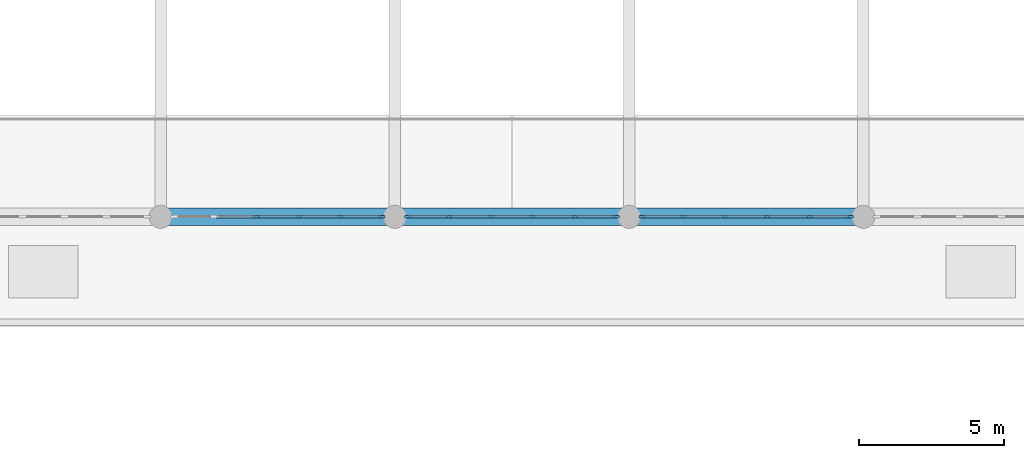
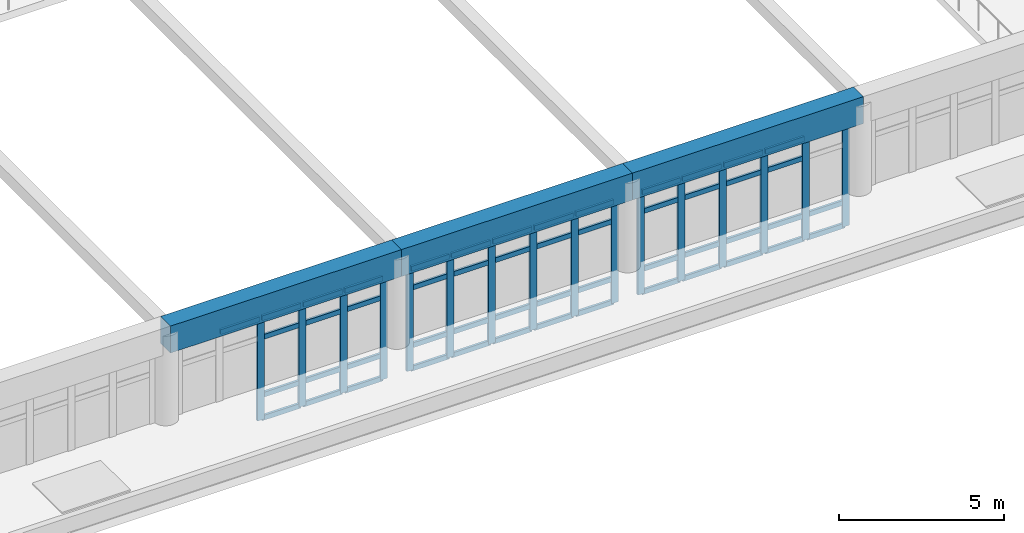
# One storey, part 7 of 61: 67 members, 3 beams, 3 elements without a shape of their own.
"""IFC4 building model written with IfcOpenShell, lengths in metres."""

import ifcopenshell
import ifcopenshell.guid

model = None  # the IFC model being written
_history = None  # IfcOwnerHistory: only IFC2X3 demands one
_inside = {}  # id of a spatial element -> (the spatial element, [elements in it])
_under = {}  # id of a project, library or spatial element -> (it, [spatial elements below it])
_declared = {}  # id of a project -> (the project, [libraries it declares])
_typed = {}  # id of a type object -> (the type object, [elements of that type])
_made_of = {}  # id of a material, layer set ... -> (it, [elements and type objects made of it])


def new_model(schema):
    """Start an empty IFC model of exactly this schema.

    Asked for "IFC4X3", IfcOpenShell would pick the latest addendum, in which some entities
    have other attributes; the version numbers below select the first issue.
    IFC2X3 requires an IfcOwnerHistory on every rooted entity: one is made here for all.
    """
    global model, _history
    if schema == "IFC4X3":
        model = ifcopenshell.file(schema_version=(4, 3, 0, 0))
    else:
        model = ifcopenshell.file(schema=schema)
    _inside.clear()
    _under.clear()
    _declared.clear()
    _typed.clear()
    _made_of.clear()
    _history = None
    if model.schema == "IFC2X3":
        org = make("IfcOrganization", Name="unknown")
        user = make(
            "IfcPersonAndOrganization",
            ThePerson=make("IfcPerson", FamilyName="unknown"),
            TheOrganization=org,
        )
        app = make(
            "IfcApplication",
            ApplicationDeveloper=org,
            Version="unknown",
            ApplicationFullName="unknown",
            ApplicationIdentifier="unknown",
        )
        _history = make(
            "IfcOwnerHistory",
            OwningUser=user,
            OwningApplication=app,
            ChangeAction="ADDED",
            CreationDate=0,
        )
    return model


def make(cls, **values):
    """One entity of the class cls with the attributes given. An attribute that is None is left unset."""
    return model.create_entity(
        cls, **{name: value for name, value in values.items() if value is not None}
    )


def rooted(cls, **values):
    """An entity with a GlobalId (a new one), such as an element, a storey or a relation."""
    return make(cls, GlobalId=ifcopenshell.guid.new(), OwnerHistory=_history, **values)


def si_unit(unit_type, name, prefix=None):
    """IfcSIUnit, for example si_unit("LENGTHUNIT", "METRE", prefix="MILLI")."""
    return make("IfcSIUnit", UnitType=unit_type, Prefix=prefix, Name=name)


def assignment(units):
    """IfcUnitAssignment: the units of a project."""
    return None if units is None else make("IfcUnitAssignment", Units=units)


def point(xyz):
    """IfcCartesianPoint."""
    return None if xyz is None else make("IfcCartesianPoint", Coordinates=xyz)


def direction(xyz):
    """IfcDirection."""
    return None if xyz is None else make("IfcDirection", DirectionRatios=xyz)


def frame(location, z_axis=None, x_axis=None):
    """IfcAxis2Placement3D, a coordinate frame: its origin and axes. An axis left out is left unset."""
    return make(
        "IfcAxis2Placement3D",
        Location=point(location),
        Axis=direction(z_axis),
        RefDirection=direction(x_axis),
    )


def frame_2d(location, x_axis=None):
    """IfcAxis2Placement2D, a coordinate frame in the plane: its origin and x axis."""
    return make(
        "IfcAxis2Placement2D", Location=point(location), RefDirection=direction(x_axis)
    )


def origin():
    """The frame at (0, 0, 0) with its axes left unset."""
    return frame((0.0, 0.0, 0.0))


def origin_2d():
    """The frame at (0, 0) in the plane with its x axis left unset."""
    return frame_2d((0.0, 0.0))


def place(relative_to, where):
    """IfcLocalPlacement: puts the frame where relative to a parent placement (None: the world)."""
    return make(
        "IfcLocalPlacement", PlacementRelTo=relative_to, RelativePlacement=where
    )


def context(
    kind, dimensions, precision=None, world=None, true_north=None, identifier=None
):
    """IfcGeometricRepresentationContext, for example the 3D "Model" context."""
    return make(
        "IfcGeometricRepresentationContext",
        ContextIdentifier=identifier,
        ContextType=kind,
        CoordinateSpaceDimension=dimensions,
        Precision=precision,
        WorldCoordinateSystem=world,
        TrueNorth=true_north,
    )


def subcontext(parent, identifier, kind, view, scale=None):
    """IfcGeometricRepresentationSubContext, for example "Body" below "Model"."""
    return make(
        "IfcGeometricRepresentationSubContext",
        ContextIdentifier=identifier,
        ContextType=kind,
        ParentContext=parent,
        TargetScale=scale,
        TargetView=view,
    )


def project(units=None, contexts=None):
    """IfcProject with its units and contexts."""
    return rooted(
        "IfcProject",
        Name="project",
        RepresentationContexts=contexts,
        UnitsInContext=assignment(units),
    )


def spatial(cls, under=None, at=None, **own):
    """A site, building, storey or space (cls), placed at a placement, below another one or the project."""
    s = rooted(cls, ObjectPlacement=at, **own)
    if under is not None:
        _under.setdefault(under.id(), (under, []))[1].append(s)
    return s


def profile(cls, at=None, kind="AREA", **sizes):
    """A parametric profile (cls). Its sizes go by their IFC names, for example OverallWidth=200.0."""
    return make(cls, ProfileType=kind, Position=at, **sizes)


def rectangle(**sizes):
    """IfcRectangleProfileDef."""
    return profile("IfcRectangleProfileDef", **sizes)


def extrude(swept, where, along, depth):
    """IfcExtrudedAreaSolid: the profile swept, set in the frame where, extruded along a direction by depth."""
    return make(
        "IfcExtrudedAreaSolid",
        SweptArea=swept,
        Position=where,
        ExtrudedDirection=direction(along),
        Depth=depth,
    )


def shape(context_of_items, identifier, shape_type, items):
    """IfcShapeRepresentation: the items that make up one representation, for example the "Body"."""
    return make(
        "IfcShapeRepresentation",
        ContextOfItems=context_of_items,
        RepresentationIdentifier=identifier,
        RepresentationType=shape_type,
        Items=items,
    )


def material(Name=None, Category=None):
    """IfcMaterial."""
    return make("IfcMaterial", Name=Name, Category=Category)


def material_profile(
    of_material, cross_section, Name=None, Category=None, Priority=None
):
    """IfcMaterialProfile: a cross section and its material."""
    return make(
        "IfcMaterialProfile",
        Name=Name,
        Material=of_material,
        Profile=cross_section,
        Priority=Priority,
        Category=Category,
    )


def profile_set(profiles, Name=None, composite=None):
    """IfcMaterialProfileSet."""
    return make(
        "IfcMaterialProfileSet",
        Name=Name,
        MaterialProfiles=profiles,
        CompositeProfile=composite,
    )


def made_of(thing, what):
    """Note that an element or type object is made of a material, layer set ...; save() writes the relation."""
    if what is not None:
        _made_of.setdefault(what.id(), (what, []))[1].append(thing)
    return thing


def type_object(cls, material=None, **own):
    """A type object (cls), such as IfcWallType, which elements share."""
    return made_of(rooted(cls, **own), material)


def element(
    cls,
    number,
    at=None,
    inside=None,
    cuts=None,
    type_object=None,
    material=None,
    context=None,
    identifier="Body",
    shape_type=None,
    held_by="IfcProductDefinitionShape",
    body=None,
    shapes=None,
    **own,
):
    """One element of the class cls, such as IfcWall. Its Tag is "e" and its number.

    at: its placement. inside: the storey or other place that contains it. cuts: it is an
    opening in that element (IfcRelVoidsElement). A single representation is given by context,
    identifier, shape_type and body (its items); several are given by shapes. held_by: the class
    of the entity that holds the representations. save() writes the other relations.
    """
    e = rooted(cls, Tag="e%d" % number, ObjectPlacement=at, **own)
    if body is not None:
        shapes = [shape(context, identifier, shape_type, body)]
    if shapes is not None:
        e.Representation = make(held_by, Representations=shapes)
    if inside is not None:
        _inside.setdefault(inside.id(), (inside, []))[1].append(e)
    if cuts is not None:
        rooted(
            "IfcRelVoidsElement", RelatingBuildingElement=cuts, RelatedOpeningElement=e
        )
    if type_object is not None:
        _typed.setdefault(type_object.id(), (type_object, []))[1].append(e)
    return made_of(e, material)


def aggregate(whole, parts):
    """IfcRelAggregates: a whole, such as a stair, and the parts it consists of."""
    return rooted("IfcRelAggregates", RelatingObject=whole, RelatedObjects=parts)


def save(model, path):
    """Write the relations noted so far, then the file.

    IfcRelAggregates (storeys below a building ...), IfcRelContainedInSpatialStructure (elements
    in a storey), IfcRelDefinesByType, IfcRelAssociatesMaterial and IfcRelDeclares: one each for
    every whole, place, type object, material and project.
    """
    for whole, parts in _under.values():
        aggregate(whole, parts)
    for where, things in _inside.values():
        rooted(
            "IfcRelContainedInSpatialStructure",
            RelatedElements=things,
            RelatingStructure=where,
        )
    for kind, things in _typed.values():
        rooted("IfcRelDefinesByType", RelatedObjects=things, RelatingType=kind)
    for what, things in _made_of.values():
        rooted("IfcRelAssociatesMaterial", RelatedObjects=things, RelatingMaterial=what)
    for by, libraries in _declared.values():
        rooted("IfcRelDeclares", RelatingContext=by, RelatedDefinitions=libraries)
    model.write(path)


model = new_model("IFC4")

# Units and contexts
model_context = context("Model", 3, precision=1e-05, world=origin(), true_north=direction((0.0, 1.0)))
body_context = subcontext(model_context, "Body", "Model", "MODEL_VIEW")
ifc_project = project(units=[si_unit("LENGTHUNIT", "METRE"), si_unit("AREAUNIT", "SQUARE_METRE"), si_unit("VOLUMEUNIT", "CUBIC_METRE"), si_unit("PLANEANGLEUNIT", "RADIAN"), si_unit("MASSUNIT", "GRAM", prefix="KILO")], contexts=[model_context])

# Site, building, storey
site_placement = place(None, origin())
site = spatial("IfcSite", under=ifc_project, at=site_placement, CompositionType="ELEMENT")
building_placement = place(site_placement, origin())
building = spatial("IfcBuilding", under=site, at=building_placement, Name="Tarnveldt Square Police Headquarters", CompositionType="ELEMENT")
storey_placement = place(building_placement, frame((0.0, 0.0, 5.39990234375)))
storey = spatial("IfcBuildingStorey", under=building, at=storey_placement, Name="L01", CompositionType="ELEMENT", Elevation=5.39990234375)

# Beams
ifc_material_1 = material(Name="Concrete 50 MPa", Category="concrete")
ifc_material_profile_1 = material_profile(ifc_material_1, rectangle(XDim=0.60009765625, YDim=1.0, at=origin_2d()), Name="RC-B600x1000")
ifc_profile_set_1 = profile_set([ifc_material_profile_1], Name="Concrete 50 MPa")
beam_type = type_object("IfcBeamType", Name="BM-RC600x1000", PredefinedType="BEAM", material=ifc_profile_set_1)
beam_1_placement = place(storey_placement, frame((81.0, 22.0, 4.300048828125), z_axis=(1.0, 0.0, 0.0), x_axis=(0.0, 1.0, 0.0)))
element("IfcBeam", 1, at=beam_1_placement, inside=storey, type_object=beam_type, Name="Public Entrance Hall Springing Edge Ring Beam S3", PredefinedType="BEAM", context=body_context, shape_type="SweptSolid", body=[
    extrude(rectangle(XDim=0.60009765625, YDim=1.0, at=origin_2d()), origin(), (0.0, 0.0, 1.0), 8.10009765625),
])
beam_2_placement = place(storey_placement, frame((89.10009765625, 22.0, 4.300048828125), z_axis=(1.0, 0.0, 0.0), x_axis=(0.0, 1.0, 0.0)))
element("IfcBeam", 2, at=beam_2_placement, inside=storey, type_object=beam_type, Name="Public Entrance Hall Springing Edge Ring Beam S4", PredefinedType="BEAM", context=body_context, shape_type="SweptSolid", body=[
    extrude(rectangle(XDim=0.60009765625, YDim=1.0, at=origin_2d()), origin(), (0.0, 0.0, 1.0), 8.099853515625),
])
beam_3_placement = place(storey_placement, frame((97.199951171875, 22.0, 4.300048828125), z_axis=(1.0, 0.0, 0.0), x_axis=(0.0, 1.0, 0.0)))
element("IfcBeam", 3, at=beam_3_placement, inside=storey, type_object=beam_type, Name="Public Entrance Hall Springing Edge Ring Beam S5", PredefinedType="BEAM", context=body_context, shape_type="SweptSolid", body=[
    extrude(rectangle(XDim=0.60009765625, YDim=1.0, at=origin_2d()), origin(), (0.0, 0.0, 1.0), 8.10009765625),
])

# Curtain wall, members
ifc_material_2 = material(Name="Triple-glazed low-e laminated vision glass", Category="glass")
curtain_wall_type = type_object("IfcCurtainWallType", Name="CW-EH-727x379", PredefinedType="USERDEFINED", material=ifc_material_2)
curtain_wall_1_placement = place(storey_placement, origin())
curtain_wall_1 = element("IfcCurtainWall", 4, at=curtain_wall_1_placement, inside=storey, type_object=curtain_wall_type, Name="L01 Curtain Wall CW-L01-009", ObjectType="GLAZED CURTAIN WALL", PredefinedType="USERDEFINED")
ifc_material_3 = material(Name="Thermally broken anodised aluminium 6063-T6", Category="aluminium")
ifc_material_profile_2 = material_profile(ifc_material_3, rectangle(XDim=0.0849609375, YDim=0.239990234375, at=origin_2d()), Name="CW-M85x240")
ifc_profile_set_2 = profile_set([ifc_material_profile_2], Name="Thermally broken anodised aluminium 6063-T6")
member_type_1 = type_object("IfcMemberType", Name="CWM-85x240", PredefinedType="MULLION", material=ifc_profile_set_2)
member_1_placement = place(storey_placement, frame((84.322998046875, 22.0, 0.0), z_axis=(0.0, 0.0, 1.0), x_axis=(0.0, 1.0, 0.0)))
member_1 = element("IfcMember", 5, at=member_1_placement, type_object=member_type_1, Name="CW-EH05 mullion 3", PredefinedType="MULLION", context=body_context, shape_type="SweptSolid", body=[
    extrude(rectangle(XDim=0.0849609375, YDim=0.239990234375, at=origin_2d()), origin(), (0.0, 0.0, 1.0), 3.7919921875),
])
member_2_placement = place(storey_placement, frame((85.777099609375, 22.0, 0.0), z_axis=(0.0, 0.0, 1.0), x_axis=(0.0, 1.0, 0.0)))
member_2 = element("IfcMember", 6, at=member_2_placement, type_object=member_type_1, Name="CW-EH05 mullion 4", PredefinedType="MULLION", context=body_context, shape_type="SweptSolid", body=[
    extrude(rectangle(XDim=0.0849609375, YDim=0.239990234375, at=origin_2d()), origin(), (0.0, 0.0, 1.0), 3.7919921875),
])
member_3_placement = place(storey_placement, frame((87.23095703125, 22.0, 0.0), z_axis=(0.0, 0.0, 1.0), x_axis=(0.0, 1.0, 0.0)))
member_3 = element("IfcMember", 7, at=member_3_placement, type_object=member_type_1, Name="CW-EH05 mullion 5", PredefinedType="MULLION", context=body_context, shape_type="SweptSolid", body=[
    extrude(rectangle(XDim=0.0849609375, YDim=0.239990234375, at=origin_2d()), origin(), (0.0, 0.0, 1.0), 3.7919921875),
])
member_4_placement = place(storey_placement, frame((88.642578125, 22.0, 0.0), z_axis=(0.0, 0.0, 1.0), x_axis=(0.0, 1.0, 0.0)))
member_4 = element("IfcMember", 8, at=member_4_placement, type_object=member_type_1, Name="CW-EH05 mullion 6", PredefinedType="MULLION", context=body_context, shape_type="SweptSolid", body=[
    extrude(rectangle(XDim=0.0849609375, YDim=0.239990234375, at=origin_2d()), origin(), (0.0, 0.0, 1.0), 3.7919921875),
])

curtain_wall_2_placement = place(storey_placement, origin())
curtain_wall_2 = element("IfcCurtainWall", 9, at=curtain_wall_2_placement, inside=storey, type_object=curtain_wall_type, Name="L01 Curtain Wall CW-L01-010", ObjectType="GLAZED CURTAIN WALL", PredefinedType="USERDEFINED")
member_5_placement = place(storey_placement, frame((89.5576171875, 22.0, 0.0), z_axis=(0.0, 0.0, 1.0), x_axis=(0.0, 1.0, 0.0)))
member_5 = element("IfcMember", 10, at=member_5_placement, type_object=member_type_1, Name="CW-EH05 mullion 1", PredefinedType="MULLION", context=body_context, shape_type="SweptSolid", body=[
    extrude(rectangle(XDim=0.0849609375, YDim=0.239990234375, at=origin_2d()), origin(), (0.0, 0.0, 1.0), 3.7919921875),
])
member_6_placement = place(storey_placement, frame((90.968994140625, 22.0, 0.0), z_axis=(0.0, 0.0, 1.0), x_axis=(0.0, 1.0, 0.0)))
member_6 = element("IfcMember", 11, at=member_6_placement, type_object=member_type_1, Name="CW-EH05 mullion 2", PredefinedType="MULLION", context=body_context, shape_type="SweptSolid", body=[
    extrude(rectangle(XDim=0.0849609375, YDim=0.239990234375, at=origin_2d()), origin(), (0.0, 0.0, 1.0), 3.7919921875),
])
member_7_placement = place(storey_placement, frame((92.423095703125, 22.0, 0.0), z_axis=(0.0, 0.0, 1.0), x_axis=(0.0, 1.0, 0.0)))
member_7 = element("IfcMember", 12, at=member_7_placement, type_object=member_type_1, Name="CW-EH05 mullion 3", PredefinedType="MULLION", context=body_context, shape_type="SweptSolid", body=[
    extrude(rectangle(XDim=0.0849609375, YDim=0.239990234375, at=origin_2d()), origin(), (0.0, 0.0, 1.0), 3.7919921875),
])
member_8_placement = place(storey_placement, frame((93.876953125, 22.0, 0.0), z_axis=(0.0, 0.0, 1.0), x_axis=(0.0, 1.0, 0.0)))
member_8 = element("IfcMember", 13, at=member_8_placement, type_object=member_type_1, Name="CW-EH05 mullion 4", PredefinedType="MULLION", context=body_context, shape_type="SweptSolid", body=[
    extrude(rectangle(XDim=0.0849609375, YDim=0.239990234375, at=origin_2d()), origin(), (0.0, 0.0, 1.0), 3.7919921875),
])
member_9_placement = place(storey_placement, frame((95.3310546875, 22.0, 0.0), z_axis=(0.0, 0.0, 1.0), x_axis=(0.0, 1.0, 0.0)))
member_9 = element("IfcMember", 14, at=member_9_placement, type_object=member_type_1, Name="CW-EH05 mullion 5", PredefinedType="MULLION", context=body_context, shape_type="SweptSolid", body=[
    extrude(rectangle(XDim=0.0849609375, YDim=0.239990234375, at=origin_2d()), origin(), (0.0, 0.0, 1.0), 3.7919921875),
])
member_10_placement = place(storey_placement, frame((96.742431640625, 22.0, 0.0), z_axis=(0.0, 0.0, 1.0), x_axis=(0.0, 1.0, 0.0)))
member_10 = element("IfcMember", 15, at=member_10_placement, type_object=member_type_1, Name="CW-EH05 mullion 6", PredefinedType="MULLION", context=body_context, shape_type="SweptSolid", body=[
    extrude(rectangle(XDim=0.0849609375, YDim=0.239990234375, at=origin_2d()), origin(), (0.0, 0.0, 1.0), 3.7919921875),
])

curtain_wall_3_placement = place(storey_placement, origin())
curtain_wall_3 = element("IfcCurtainWall", 16, at=curtain_wall_3_placement, inside=storey, type_object=curtain_wall_type, Name="L01 Curtain Wall CW-L01-011", ObjectType="GLAZED CURTAIN WALL", PredefinedType="USERDEFINED")
member_11_placement = place(storey_placement, frame((97.657470703125, 22.0, 0.0), z_axis=(0.0, 0.0, 1.0), x_axis=(0.0, 1.0, 0.0)))
member_11 = element("IfcMember", 17, at=member_11_placement, type_object=member_type_1, Name="CW-EH05 mullion 1", PredefinedType="MULLION", context=body_context, shape_type="SweptSolid", body=[
    extrude(rectangle(XDim=0.0849609375, YDim=0.239990234375, at=origin_2d()), origin(), (0.0, 0.0, 1.0), 3.7919921875),
])
member_12_placement = place(storey_placement, frame((99.069091796875, 22.0, 0.0), z_axis=(0.0, 0.0, 1.0), x_axis=(0.0, 1.0, 0.0)))
member_12 = element("IfcMember", 18, at=member_12_placement, type_object=member_type_1, Name="CW-EH05 mullion 2", PredefinedType="MULLION", context=body_context, shape_type="SweptSolid", body=[
    extrude(rectangle(XDim=0.0849609375, YDim=0.239990234375, at=origin_2d()), origin(), (0.0, 0.0, 1.0), 3.7919921875),
])
member_13_placement = place(storey_placement, frame((100.52294921875, 22.0, 0.0), z_axis=(0.0, 0.0, 1.0), x_axis=(0.0, 1.0, 0.0)))
member_13 = element("IfcMember", 19, at=member_13_placement, type_object=member_type_1, Name="CW-EH05 mullion 3", PredefinedType="MULLION", context=body_context, shape_type="SweptSolid", body=[
    extrude(rectangle(XDim=0.0849609375, YDim=0.239990234375, at=origin_2d()), origin(), (0.0, 0.0, 1.0), 3.7919921875),
])
member_14_placement = place(storey_placement, frame((101.97705078125, 22.0, 0.0), z_axis=(0.0, 0.0, 1.0), x_axis=(0.0, 1.0, 0.0)))
member_14 = element("IfcMember", 20, at=member_14_placement, type_object=member_type_1, Name="CW-EH05 mullion 4", PredefinedType="MULLION", context=body_context, shape_type="SweptSolid", body=[
    extrude(rectangle(XDim=0.0849609375, YDim=0.239990234375, at=origin_2d()), origin(), (0.0, 0.0, 1.0), 3.7919921875),
])
member_15_placement = place(storey_placement, frame((103.430908203125, 22.0, 0.0), z_axis=(0.0, 0.0, 1.0), x_axis=(0.0, 1.0, 0.0)))
member_15 = element("IfcMember", 21, at=member_15_placement, type_object=member_type_1, Name="CW-EH05 mullion 5", PredefinedType="MULLION", context=body_context, shape_type="SweptSolid", body=[
    extrude(rectangle(XDim=0.0849609375, YDim=0.239990234375, at=origin_2d()), origin(), (0.0, 0.0, 1.0), 3.7919921875),
])
member_16_placement = place(storey_placement, frame((104.842529296875, 22.0, 0.0), z_axis=(0.0, 0.0, 1.0), x_axis=(0.0, 1.0, 0.0)))
member_16 = element("IfcMember", 22, at=member_16_placement, type_object=member_type_1, Name="CW-EH05 mullion 6", PredefinedType="MULLION", context=body_context, shape_type="SweptSolid", body=[
    extrude(rectangle(XDim=0.0849609375, YDim=0.239990234375, at=origin_2d()), origin(), (0.0, 0.0, 1.0), 3.7919921875),
])

# Member
ifc_material_profile_3 = material_profile(ifc_material_3, rectangle(XDim=0.0849609375, YDim=0.179931640625, at=origin_2d()), Name="CW-T85x180")
ifc_profile_set_3 = profile_set([ifc_material_profile_3], Name="Thermally broken anodised aluminium 6063-T6")
member_type_2 = type_object("IfcMemberType", Name="CWT-85x180", PredefinedType="USERDEFINED", material=ifc_profile_set_3)
member_17_placement = place(storey_placement, frame((82.91162109375, 22.0, 3.74951171875), z_axis=(1.0, 0.0, 0.0), x_axis=(0.0, 1.0, 0.0)))
member_17 = element("IfcMember", 23, at=member_17_placement, type_object=member_type_2, Name="CW-EH05 transom 2.4", ObjectType="TRANSOM", PredefinedType="USERDEFINED", context=body_context, shape_type="SweptSolid", body=[
    extrude(rectangle(XDim=0.0849609375, YDim=0.179931640625, at=origin_2d()), origin(), (0.0, 0.0, 1.0), 1.368896484375),
])

member_18_placement = place(storey_placement, frame((84.365478515625, 22.0, 0.04248046875), z_axis=(1.0, 0.0, 0.0), x_axis=(0.0, 1.0, 0.0)))
member_18 = element("IfcMember", 24, at=member_18_placement, type_object=member_type_2, Name="CW-EH05 transom 3.1", ObjectType="TRANSOM", PredefinedType="USERDEFINED", context=body_context, shape_type="SweptSolid", body=[
    extrude(rectangle(XDim=0.0849609375, YDim=0.179931640625, at=origin_2d()), origin(), (0.0, 0.0, 1.0), 1.369140625),
])

member_19_placement = place(storey_placement, frame((84.365478515625, 22.0, 0.900146484375), z_axis=(1.0, 0.0, 0.0), x_axis=(0.0, 1.0, 0.0)))
member_19 = element("IfcMember", 25, at=member_19_placement, type_object=member_type_2, Name="CW-EH05 transom 3.2", ObjectType="TRANSOM", PredefinedType="USERDEFINED", context=body_context, shape_type="SweptSolid", body=[
    extrude(rectangle(XDim=0.0849609375, YDim=0.179931640625, at=origin_2d()), origin(), (0.0, 0.0, 1.0), 1.369140625),
])

member_20_placement = place(storey_placement, frame((84.365478515625, 22.0, 3.0419921875), z_axis=(1.0, 0.0, 0.0), x_axis=(0.0, 1.0, 0.0)))
member_20 = element("IfcMember", 26, at=member_20_placement, type_object=member_type_2, Name="CW-EH05 transom 3.3", ObjectType="TRANSOM", PredefinedType="USERDEFINED", context=body_context, shape_type="SweptSolid", body=[
    extrude(rectangle(XDim=0.0849609375, YDim=0.179931640625, at=origin_2d()), origin(), (0.0, 0.0, 1.0), 1.369140625),
])

member_21_placement = place(storey_placement, frame((84.365478515625, 22.0, 3.74951171875), z_axis=(1.0, 0.0, 0.0), x_axis=(0.0, 1.0, 0.0)))
member_21 = element("IfcMember", 27, at=member_21_placement, type_object=member_type_2, Name="CW-EH05 transom 3.4", ObjectType="TRANSOM", PredefinedType="USERDEFINED", context=body_context, shape_type="SweptSolid", body=[
    extrude(rectangle(XDim=0.0849609375, YDim=0.179931640625, at=origin_2d()), origin(), (0.0, 0.0, 1.0), 1.369140625),
])

member_22_placement = place(storey_placement, frame((85.819580078125, 22.0, 0.04248046875), z_axis=(1.0, 0.0, 0.0), x_axis=(0.0, 1.0, 0.0)))
member_22 = element("IfcMember", 28, at=member_22_placement, type_object=member_type_2, Name="CW-EH05 transom 4.1", ObjectType="TRANSOM", PredefinedType="USERDEFINED", context=body_context, shape_type="SweptSolid", body=[
    extrude(rectangle(XDim=0.0849609375, YDim=0.179931640625, at=origin_2d()), origin(), (0.0, 0.0, 1.0), 1.368896484375),
])

member_23_placement = place(storey_placement, frame((85.819580078125, 22.0, 0.900146484375), z_axis=(1.0, 0.0, 0.0), x_axis=(0.0, 1.0, 0.0)))
member_23 = element("IfcMember", 29, at=member_23_placement, type_object=member_type_2, Name="CW-EH05 transom 4.2", ObjectType="TRANSOM", PredefinedType="USERDEFINED", context=body_context, shape_type="SweptSolid", body=[
    extrude(rectangle(XDim=0.0849609375, YDim=0.179931640625, at=origin_2d()), origin(), (0.0, 0.0, 1.0), 1.368896484375),
])

member_24_placement = place(storey_placement, frame((85.819580078125, 22.0, 3.0419921875), z_axis=(1.0, 0.0, 0.0), x_axis=(0.0, 1.0, 0.0)))
member_24 = element("IfcMember", 30, at=member_24_placement, type_object=member_type_2, Name="CW-EH05 transom 4.3", ObjectType="TRANSOM", PredefinedType="USERDEFINED", context=body_context, shape_type="SweptSolid", body=[
    extrude(rectangle(XDim=0.0849609375, YDim=0.179931640625, at=origin_2d()), origin(), (0.0, 0.0, 1.0), 1.368896484375),
])

member_25_placement = place(storey_placement, frame((85.819580078125, 22.0, 3.74951171875), z_axis=(1.0, 0.0, 0.0), x_axis=(0.0, 1.0, 0.0)))
member_25 = element("IfcMember", 31, at=member_25_placement, type_object=member_type_2, Name="CW-EH05 transom 4.4", ObjectType="TRANSOM", PredefinedType="USERDEFINED", context=body_context, shape_type="SweptSolid", body=[
    extrude(rectangle(XDim=0.0849609375, YDim=0.179931640625, at=origin_2d()), origin(), (0.0, 0.0, 1.0), 1.368896484375),
])

member_26_placement = place(storey_placement, frame((87.2734375, 22.0, 0.04248046875), z_axis=(1.0, 0.0, 0.0), x_axis=(0.0, 1.0, 0.0)))
member_26 = element("IfcMember", 32, at=member_26_placement, type_object=member_type_2, Name="CW-EH05 transom 5.1", ObjectType="TRANSOM", PredefinedType="USERDEFINED", context=body_context, shape_type="SweptSolid", body=[
    extrude(rectangle(XDim=0.0849609375, YDim=0.179931640625, at=origin_2d()), origin(), (0.0, 0.0, 1.0), 1.32666015625),
])

member_27_placement = place(storey_placement, frame((87.2734375, 22.0, 0.900146484375), z_axis=(1.0, 0.0, 0.0), x_axis=(0.0, 1.0, 0.0)))
member_27 = element("IfcMember", 33, at=member_27_placement, type_object=member_type_2, Name="CW-EH05 transom 5.2", ObjectType="TRANSOM", PredefinedType="USERDEFINED", context=body_context, shape_type="SweptSolid", body=[
    extrude(rectangle(XDim=0.0849609375, YDim=0.179931640625, at=origin_2d()), origin(), (0.0, 0.0, 1.0), 1.32666015625),
])

member_28_placement = place(storey_placement, frame((87.2734375, 22.0, 3.0419921875), z_axis=(1.0, 0.0, 0.0), x_axis=(0.0, 1.0, 0.0)))
member_28 = element("IfcMember", 34, at=member_28_placement, type_object=member_type_2, Name="CW-EH05 transom 5.3", ObjectType="TRANSOM", PredefinedType="USERDEFINED", context=body_context, shape_type="SweptSolid", body=[
    extrude(rectangle(XDim=0.0849609375, YDim=0.179931640625, at=origin_2d()), origin(), (0.0, 0.0, 1.0), 1.32666015625),
])

member_29_placement = place(storey_placement, frame((87.2734375, 22.0, 3.74951171875), z_axis=(1.0, 0.0, 0.0), x_axis=(0.0, 1.0, 0.0)))
member_29 = element("IfcMember", 35, at=member_29_placement, type_object=member_type_2, Name="CW-EH05 transom 5.4", ObjectType="TRANSOM", PredefinedType="USERDEFINED", context=body_context, shape_type="SweptSolid", body=[
    extrude(rectangle(XDim=0.0849609375, YDim=0.179931640625, at=origin_2d()), origin(), (0.0, 0.0, 1.0), 1.32666015625),
])

aggregate(curtain_wall_1, [member_1, member_2, member_3, member_4, member_17, member_18, member_19, member_20, member_21, member_22, member_23, member_24, member_25, member_26, member_27, member_28, member_29])

member_30_placement = place(storey_placement, frame((89.60009765625, 22.0, 0.04248046875), z_axis=(1.0, 0.0, 0.0), x_axis=(0.0, 1.0, 0.0)))
member_30 = element("IfcMember", 36, at=member_30_placement, type_object=member_type_2, Name="CW-EH05 transom 1.1", ObjectType="TRANSOM", PredefinedType="USERDEFINED", context=body_context, shape_type="SweptSolid", body=[
    extrude(rectangle(XDim=0.0849609375, YDim=0.179931640625, at=origin_2d()), origin(), (0.0, 0.0, 1.0), 1.326416015625),
])

member_31_placement = place(storey_placement, frame((89.60009765625, 22.0, 0.900146484375), z_axis=(1.0, 0.0, 0.0), x_axis=(0.0, 1.0, 0.0)))
member_31 = element("IfcMember", 37, at=member_31_placement, type_object=member_type_2, Name="CW-EH05 transom 1.2", ObjectType="TRANSOM", PredefinedType="USERDEFINED", context=body_context, shape_type="SweptSolid", body=[
    extrude(rectangle(XDim=0.0849609375, YDim=0.179931640625, at=origin_2d()), origin(), (0.0, 0.0, 1.0), 1.326416015625),
])

member_32_placement = place(storey_placement, frame((89.60009765625, 22.0, 3.0419921875), z_axis=(1.0, 0.0, 0.0), x_axis=(0.0, 1.0, 0.0)))
member_32 = element("IfcMember", 38, at=member_32_placement, type_object=member_type_2, Name="CW-EH05 transom 1.3", ObjectType="TRANSOM", PredefinedType="USERDEFINED", context=body_context, shape_type="SweptSolid", body=[
    extrude(rectangle(XDim=0.0849609375, YDim=0.179931640625, at=origin_2d()), origin(), (0.0, 0.0, 1.0), 1.326416015625),
])

member_33_placement = place(storey_placement, frame((89.60009765625, 22.0, 3.74951171875), z_axis=(1.0, 0.0, 0.0), x_axis=(0.0, 1.0, 0.0)))
member_33 = element("IfcMember", 39, at=member_33_placement, type_object=member_type_2, Name="CW-EH05 transom 1.4", ObjectType="TRANSOM", PredefinedType="USERDEFINED", context=body_context, shape_type="SweptSolid", body=[
    extrude(rectangle(XDim=0.0849609375, YDim=0.179931640625, at=origin_2d()), origin(), (0.0, 0.0, 1.0), 1.326416015625),
])

member_34_placement = place(storey_placement, frame((91.011474609375, 22.0, 0.04248046875), z_axis=(1.0, 0.0, 0.0), x_axis=(0.0, 1.0, 0.0)))
member_34 = element("IfcMember", 40, at=member_34_placement, type_object=member_type_2, Name="CW-EH05 transom 2.1", ObjectType="TRANSOM", PredefinedType="USERDEFINED", context=body_context, shape_type="SweptSolid", body=[
    extrude(rectangle(XDim=0.0849609375, YDim=0.179931640625, at=origin_2d()), origin(), (0.0, 0.0, 1.0), 1.369140625),
])

member_35_placement = place(storey_placement, frame((91.011474609375, 22.0, 0.900146484375), z_axis=(1.0, 0.0, 0.0), x_axis=(0.0, 1.0, 0.0)))
member_35 = element("IfcMember", 41, at=member_35_placement, type_object=member_type_2, Name="CW-EH05 transom 2.2", ObjectType="TRANSOM", PredefinedType="USERDEFINED", context=body_context, shape_type="SweptSolid", body=[
    extrude(rectangle(XDim=0.0849609375, YDim=0.179931640625, at=origin_2d()), origin(), (0.0, 0.0, 1.0), 1.369140625),
])

member_36_placement = place(storey_placement, frame((91.011474609375, 22.0, 3.0419921875), z_axis=(1.0, 0.0, 0.0), x_axis=(0.0, 1.0, 0.0)))
member_36 = element("IfcMember", 42, at=member_36_placement, type_object=member_type_2, Name="CW-EH05 transom 2.3", ObjectType="TRANSOM", PredefinedType="USERDEFINED", context=body_context, shape_type="SweptSolid", body=[
    extrude(rectangle(XDim=0.0849609375, YDim=0.179931640625, at=origin_2d()), origin(), (0.0, 0.0, 1.0), 1.369140625),
])

member_37_placement = place(storey_placement, frame((91.011474609375, 22.0, 3.74951171875), z_axis=(1.0, 0.0, 0.0), x_axis=(0.0, 1.0, 0.0)))
member_37 = element("IfcMember", 43, at=member_37_placement, type_object=member_type_2, Name="CW-EH05 transom 2.4", ObjectType="TRANSOM", PredefinedType="USERDEFINED", context=body_context, shape_type="SweptSolid", body=[
    extrude(rectangle(XDim=0.0849609375, YDim=0.179931640625, at=origin_2d()), origin(), (0.0, 0.0, 1.0), 1.369140625),
])

member_38_placement = place(storey_placement, frame((92.465576171875, 22.0, 0.04248046875), z_axis=(1.0, 0.0, 0.0), x_axis=(0.0, 1.0, 0.0)))
member_38 = element("IfcMember", 44, at=member_38_placement, type_object=member_type_2, Name="CW-EH05 transom 3.1", ObjectType="TRANSOM", PredefinedType="USERDEFINED", context=body_context, shape_type="SweptSolid", body=[
    extrude(rectangle(XDim=0.0849609375, YDim=0.179931640625, at=origin_2d()), origin(), (0.0, 0.0, 1.0), 1.368896484375),
])

member_39_placement = place(storey_placement, frame((92.465576171875, 22.0, 0.900146484375), z_axis=(1.0, 0.0, 0.0), x_axis=(0.0, 1.0, 0.0)))
member_39 = element("IfcMember", 45, at=member_39_placement, type_object=member_type_2, Name="CW-EH05 transom 3.2", ObjectType="TRANSOM", PredefinedType="USERDEFINED", context=body_context, shape_type="SweptSolid", body=[
    extrude(rectangle(XDim=0.0849609375, YDim=0.179931640625, at=origin_2d()), origin(), (0.0, 0.0, 1.0), 1.368896484375),
])

member_40_placement = place(storey_placement, frame((92.465576171875, 22.0, 3.0419921875), z_axis=(1.0, 0.0, 0.0), x_axis=(0.0, 1.0, 0.0)))
member_40 = element("IfcMember", 46, at=member_40_placement, type_object=member_type_2, Name="CW-EH05 transom 3.3", ObjectType="TRANSOM", PredefinedType="USERDEFINED", context=body_context, shape_type="SweptSolid", body=[
    extrude(rectangle(XDim=0.0849609375, YDim=0.179931640625, at=origin_2d()), origin(), (0.0, 0.0, 1.0), 1.368896484375),
])

member_41_placement = place(storey_placement, frame((92.465576171875, 22.0, 3.74951171875), z_axis=(1.0, 0.0, 0.0), x_axis=(0.0, 1.0, 0.0)))
member_41 = element("IfcMember", 47, at=member_41_placement, type_object=member_type_2, Name="CW-EH05 transom 3.4", ObjectType="TRANSOM", PredefinedType="USERDEFINED", context=body_context, shape_type="SweptSolid", body=[
    extrude(rectangle(XDim=0.0849609375, YDim=0.179931640625, at=origin_2d()), origin(), (0.0, 0.0, 1.0), 1.368896484375),
])

member_42_placement = place(storey_placement, frame((93.91943359375, 22.0, 0.04248046875), z_axis=(1.0, 0.0, 0.0), x_axis=(0.0, 1.0, 0.0)))
member_42 = element("IfcMember", 48, at=member_42_placement, type_object=member_type_2, Name="CW-EH05 transom 4.1", ObjectType="TRANSOM", PredefinedType="USERDEFINED", context=body_context, shape_type="SweptSolid", body=[
    extrude(rectangle(XDim=0.0849609375, YDim=0.179931640625, at=origin_2d()), origin(), (0.0, 0.0, 1.0), 1.369140625),
])

member_43_placement = place(storey_placement, frame((93.91943359375, 22.0, 0.900146484375), z_axis=(1.0, 0.0, 0.0), x_axis=(0.0, 1.0, 0.0)))
member_43 = element("IfcMember", 49, at=member_43_placement, type_object=member_type_2, Name="CW-EH05 transom 4.2", ObjectType="TRANSOM", PredefinedType="USERDEFINED", context=body_context, shape_type="SweptSolid", body=[
    extrude(rectangle(XDim=0.0849609375, YDim=0.179931640625, at=origin_2d()), origin(), (0.0, 0.0, 1.0), 1.369140625),
])

member_44_placement = place(storey_placement, frame((93.91943359375, 22.0, 3.0419921875), z_axis=(1.0, 0.0, 0.0), x_axis=(0.0, 1.0, 0.0)))
member_44 = element("IfcMember", 50, at=member_44_placement, type_object=member_type_2, Name="CW-EH05 transom 4.3", ObjectType="TRANSOM", PredefinedType="USERDEFINED", context=body_context, shape_type="SweptSolid", body=[
    extrude(rectangle(XDim=0.0849609375, YDim=0.179931640625, at=origin_2d()), origin(), (0.0, 0.0, 1.0), 1.369140625),
])

member_45_placement = place(storey_placement, frame((93.91943359375, 22.0, 3.74951171875), z_axis=(1.0, 0.0, 0.0), x_axis=(0.0, 1.0, 0.0)))
member_45 = element("IfcMember", 51, at=member_45_placement, type_object=member_type_2, Name="CW-EH05 transom 4.4", ObjectType="TRANSOM", PredefinedType="USERDEFINED", context=body_context, shape_type="SweptSolid", body=[
    extrude(rectangle(XDim=0.0849609375, YDim=0.179931640625, at=origin_2d()), origin(), (0.0, 0.0, 1.0), 1.369140625),
])

member_46_placement = place(storey_placement, frame((95.37353515625, 22.0, 0.04248046875), z_axis=(1.0, 0.0, 0.0), x_axis=(0.0, 1.0, 0.0)))
member_46 = element("IfcMember", 52, at=member_46_placement, type_object=member_type_2, Name="CW-EH05 transom 5.1", ObjectType="TRANSOM", PredefinedType="USERDEFINED", context=body_context, shape_type="SweptSolid", body=[
    extrude(rectangle(XDim=0.0849609375, YDim=0.179931640625, at=origin_2d()), origin(), (0.0, 0.0, 1.0), 1.326416015625),
])

member_47_placement = place(storey_placement, frame((95.37353515625, 22.0, 0.900146484375), z_axis=(1.0, 0.0, 0.0), x_axis=(0.0, 1.0, 0.0)))
member_47 = element("IfcMember", 53, at=member_47_placement, type_object=member_type_2, Name="CW-EH05 transom 5.2", ObjectType="TRANSOM", PredefinedType="USERDEFINED", context=body_context, shape_type="SweptSolid", body=[
    extrude(rectangle(XDim=0.0849609375, YDim=0.179931640625, at=origin_2d()), origin(), (0.0, 0.0, 1.0), 1.326416015625),
])

member_48_placement = place(storey_placement, frame((95.37353515625, 22.0, 3.0419921875), z_axis=(1.0, 0.0, 0.0), x_axis=(0.0, 1.0, 0.0)))
member_48 = element("IfcMember", 54, at=member_48_placement, type_object=member_type_2, Name="CW-EH05 transom 5.3", ObjectType="TRANSOM", PredefinedType="USERDEFINED", context=body_context, shape_type="SweptSolid", body=[
    extrude(rectangle(XDim=0.0849609375, YDim=0.179931640625, at=origin_2d()), origin(), (0.0, 0.0, 1.0), 1.326416015625),
])

member_49_placement = place(storey_placement, frame((95.37353515625, 22.0, 3.74951171875), z_axis=(1.0, 0.0, 0.0), x_axis=(0.0, 1.0, 0.0)))
member_49 = element("IfcMember", 55, at=member_49_placement, type_object=member_type_2, Name="CW-EH05 transom 5.4", ObjectType="TRANSOM", PredefinedType="USERDEFINED", context=body_context, shape_type="SweptSolid", body=[
    extrude(rectangle(XDim=0.0849609375, YDim=0.179931640625, at=origin_2d()), origin(), (0.0, 0.0, 1.0), 1.326416015625),
])

aggregate(curtain_wall_2, [member_5, member_6, member_7, member_8, member_9, member_10, member_30, member_31, member_32, member_33, member_34, member_35, member_36, member_37, member_38, member_39, member_40, member_41, member_42, member_43, member_44, member_45, member_46, member_47, member_48, member_49])

member_50_placement = place(storey_placement, frame((97.699951171875, 22.0, 0.04248046875), z_axis=(1.0, 0.0, 0.0), x_axis=(0.0, 1.0, 0.0)))
member_50 = element("IfcMember", 56, at=member_50_placement, type_object=member_type_2, Name="CW-EH05 transom 1.1", ObjectType="TRANSOM", PredefinedType="USERDEFINED", context=body_context, shape_type="SweptSolid", body=[
    extrude(rectangle(XDim=0.0849609375, YDim=0.179931640625, at=origin_2d()), origin(), (0.0, 0.0, 1.0), 1.32666015625),
])

member_51_placement = place(storey_placement, frame((97.699951171875, 22.0, 0.900146484375), z_axis=(1.0, 0.0, 0.0), x_axis=(0.0, 1.0, 0.0)))
member_51 = element("IfcMember", 57, at=member_51_placement, type_object=member_type_2, Name="CW-EH05 transom 1.2", ObjectType="TRANSOM", PredefinedType="USERDEFINED", context=body_context, shape_type="SweptSolid", body=[
    extrude(rectangle(XDim=0.0849609375, YDim=0.179931640625, at=origin_2d()), origin(), (0.0, 0.0, 1.0), 1.32666015625),
])

member_52_placement = place(storey_placement, frame((97.699951171875, 22.0, 3.0419921875), z_axis=(1.0, 0.0, 0.0), x_axis=(0.0, 1.0, 0.0)))
member_52 = element("IfcMember", 58, at=member_52_placement, type_object=member_type_2, Name="CW-EH05 transom 1.3", ObjectType="TRANSOM", PredefinedType="USERDEFINED", context=body_context, shape_type="SweptSolid", body=[
    extrude(rectangle(XDim=0.0849609375, YDim=0.179931640625, at=origin_2d()), origin(), (0.0, 0.0, 1.0), 1.32666015625),
])

member_53_placement = place(storey_placement, frame((97.699951171875, 22.0, 3.74951171875), z_axis=(1.0, 0.0, 0.0), x_axis=(0.0, 1.0, 0.0)))
member_53 = element("IfcMember", 59, at=member_53_placement, type_object=member_type_2, Name="CW-EH05 transom 1.4", ObjectType="TRANSOM", PredefinedType="USERDEFINED", context=body_context, shape_type="SweptSolid", body=[
    extrude(rectangle(XDim=0.0849609375, YDim=0.179931640625, at=origin_2d()), origin(), (0.0, 0.0, 1.0), 1.32666015625),
])

member_54_placement = place(storey_placement, frame((99.111572265625, 22.0, 0.04248046875), z_axis=(1.0, 0.0, 0.0), x_axis=(0.0, 1.0, 0.0)))
member_54 = element("IfcMember", 60, at=member_54_placement, type_object=member_type_2, Name="CW-EH05 transom 2.1", ObjectType="TRANSOM", PredefinedType="USERDEFINED", context=body_context, shape_type="SweptSolid", body=[
    extrude(rectangle(XDim=0.0849609375, YDim=0.179931640625, at=origin_2d()), origin(), (0.0, 0.0, 1.0), 1.368896484375),
])

member_55_placement = place(storey_placement, frame((99.111572265625, 22.0, 0.900146484375), z_axis=(1.0, 0.0, 0.0), x_axis=(0.0, 1.0, 0.0)))
member_55 = element("IfcMember", 61, at=member_55_placement, type_object=member_type_2, Name="CW-EH05 transom 2.2", ObjectType="TRANSOM", PredefinedType="USERDEFINED", context=body_context, shape_type="SweptSolid", body=[
    extrude(rectangle(XDim=0.0849609375, YDim=0.179931640625, at=origin_2d()), origin(), (0.0, 0.0, 1.0), 1.368896484375),
])

member_56_placement = place(storey_placement, frame((99.111572265625, 22.0, 3.0419921875), z_axis=(1.0, 0.0, 0.0), x_axis=(0.0, 1.0, 0.0)))
member_56 = element("IfcMember", 62, at=member_56_placement, type_object=member_type_2, Name="CW-EH05 transom 2.3", ObjectType="TRANSOM", PredefinedType="USERDEFINED", context=body_context, shape_type="SweptSolid", body=[
    extrude(rectangle(XDim=0.0849609375, YDim=0.179931640625, at=origin_2d()), origin(), (0.0, 0.0, 1.0), 1.368896484375),
])

member_57_placement = place(storey_placement, frame((99.111572265625, 22.0, 3.74951171875), z_axis=(1.0, 0.0, 0.0), x_axis=(0.0, 1.0, 0.0)))
member_57 = element("IfcMember", 63, at=member_57_placement, type_object=member_type_2, Name="CW-EH05 transom 2.4", ObjectType="TRANSOM", PredefinedType="USERDEFINED", context=body_context, shape_type="SweptSolid", body=[
    extrude(rectangle(XDim=0.0849609375, YDim=0.179931640625, at=origin_2d()), origin(), (0.0, 0.0, 1.0), 1.368896484375),
])

member_58_placement = place(storey_placement, frame((100.5654296875, 22.0, 0.04248046875), z_axis=(1.0, 0.0, 0.0), x_axis=(0.0, 1.0, 0.0)))
member_58 = element("IfcMember", 64, at=member_58_placement, type_object=member_type_2, Name="CW-EH05 transom 3.1", ObjectType="TRANSOM", PredefinedType="USERDEFINED", context=body_context, shape_type="SweptSolid", body=[
    extrude(rectangle(XDim=0.0849609375, YDim=0.179931640625, at=origin_2d()), origin(), (0.0, 0.0, 1.0), 1.369140625),
])

member_59_placement = place(storey_placement, frame((100.5654296875, 22.0, 0.900146484375), z_axis=(1.0, 0.0, 0.0), x_axis=(0.0, 1.0, 0.0)))
member_59 = element("IfcMember", 65, at=member_59_placement, type_object=member_type_2, Name="CW-EH05 transom 3.2", ObjectType="TRANSOM", PredefinedType="USERDEFINED", context=body_context, shape_type="SweptSolid", body=[
    extrude(rectangle(XDim=0.0849609375, YDim=0.179931640625, at=origin_2d()), origin(), (0.0, 0.0, 1.0), 1.369140625),
])

member_60_placement = place(storey_placement, frame((100.5654296875, 22.0, 3.0419921875), z_axis=(1.0, 0.0, 0.0), x_axis=(0.0, 1.0, 0.0)))
member_60 = element("IfcMember", 66, at=member_60_placement, type_object=member_type_2, Name="CW-EH05 transom 3.3", ObjectType="TRANSOM", PredefinedType="USERDEFINED", context=body_context, shape_type="SweptSolid", body=[
    extrude(rectangle(XDim=0.0849609375, YDim=0.179931640625, at=origin_2d()), origin(), (0.0, 0.0, 1.0), 1.369140625),
])

member_61_placement = place(storey_placement, frame((100.5654296875, 22.0, 3.74951171875), z_axis=(1.0, 0.0, 0.0), x_axis=(0.0, 1.0, 0.0)))
member_61 = element("IfcMember", 67, at=member_61_placement, type_object=member_type_2, Name="CW-EH05 transom 3.4", ObjectType="TRANSOM", PredefinedType="USERDEFINED", context=body_context, shape_type="SweptSolid", body=[
    extrude(rectangle(XDim=0.0849609375, YDim=0.179931640625, at=origin_2d()), origin(), (0.0, 0.0, 1.0), 1.369140625),
])

member_62_placement = place(storey_placement, frame((102.01953125, 22.0, 0.04248046875), z_axis=(1.0, 0.0, 0.0), x_axis=(0.0, 1.0, 0.0)))
member_62 = element("IfcMember", 68, at=member_62_placement, type_object=member_type_2, Name="CW-EH05 transom 4.1", ObjectType="TRANSOM", PredefinedType="USERDEFINED", context=body_context, shape_type="SweptSolid", body=[
    extrude(rectangle(XDim=0.0849609375, YDim=0.179931640625, at=origin_2d()), origin(), (0.0, 0.0, 1.0), 1.368896484375),
])

member_63_placement = place(storey_placement, frame((102.01953125, 22.0, 0.900146484375), z_axis=(1.0, 0.0, 0.0), x_axis=(0.0, 1.0, 0.0)))
member_63 = element("IfcMember", 69, at=member_63_placement, type_object=member_type_2, Name="CW-EH05 transom 4.2", ObjectType="TRANSOM", PredefinedType="USERDEFINED", context=body_context, shape_type="SweptSolid", body=[
    extrude(rectangle(XDim=0.0849609375, YDim=0.179931640625, at=origin_2d()), origin(), (0.0, 0.0, 1.0), 1.368896484375),
])

member_64_placement = place(storey_placement, frame((102.01953125, 22.0, 3.0419921875), z_axis=(1.0, 0.0, 0.0), x_axis=(0.0, 1.0, 0.0)))
member_64 = element("IfcMember", 70, at=member_64_placement, type_object=member_type_2, Name="CW-EH05 transom 4.3", ObjectType="TRANSOM", PredefinedType="USERDEFINED", context=body_context, shape_type="SweptSolid", body=[
    extrude(rectangle(XDim=0.0849609375, YDim=0.179931640625, at=origin_2d()), origin(), (0.0, 0.0, 1.0), 1.368896484375),
])

member_65_placement = place(storey_placement, frame((102.01953125, 22.0, 3.74951171875), z_axis=(1.0, 0.0, 0.0), x_axis=(0.0, 1.0, 0.0)))
member_65 = element("IfcMember", 71, at=member_65_placement, type_object=member_type_2, Name="CW-EH05 transom 4.4", ObjectType="TRANSOM", PredefinedType="USERDEFINED", context=body_context, shape_type="SweptSolid", body=[
    extrude(rectangle(XDim=0.0849609375, YDim=0.179931640625, at=origin_2d()), origin(), (0.0, 0.0, 1.0), 1.368896484375),
])

member_66_placement = place(storey_placement, frame((103.473388671875, 22.0, 0.04248046875), z_axis=(1.0, 0.0, 0.0), x_axis=(0.0, 1.0, 0.0)))
member_66 = element("IfcMember", 72, at=member_66_placement, type_object=member_type_2, Name="CW-EH05 transom 5.1", ObjectType="TRANSOM", PredefinedType="USERDEFINED", context=body_context, shape_type="SweptSolid", body=[
    extrude(rectangle(XDim=0.0849609375, YDim=0.179931640625, at=origin_2d()), origin(), (0.0, 0.0, 1.0), 1.32666015625),
])

member_67_placement = place(storey_placement, frame((103.473388671875, 22.0, 0.900146484375), z_axis=(1.0, 0.0, 0.0), x_axis=(0.0, 1.0, 0.0)))
member_67 = element("IfcMember", 73, at=member_67_placement, type_object=member_type_2, Name="CW-EH05 transom 5.2", ObjectType="TRANSOM", PredefinedType="USERDEFINED", context=body_context, shape_type="SweptSolid", body=[
    extrude(rectangle(XDim=0.0849609375, YDim=0.179931640625, at=origin_2d()), origin(), (0.0, 0.0, 1.0), 1.32666015625),
])

aggregate(curtain_wall_3, [member_11, member_12, member_13, member_14, member_15, member_16, member_50, member_51, member_52, member_53, member_54, member_55, member_56, member_57, member_58, member_59, member_60, member_61, member_62, member_63, member_64, member_65, member_66, member_67])

save(model, "model.ifc")
